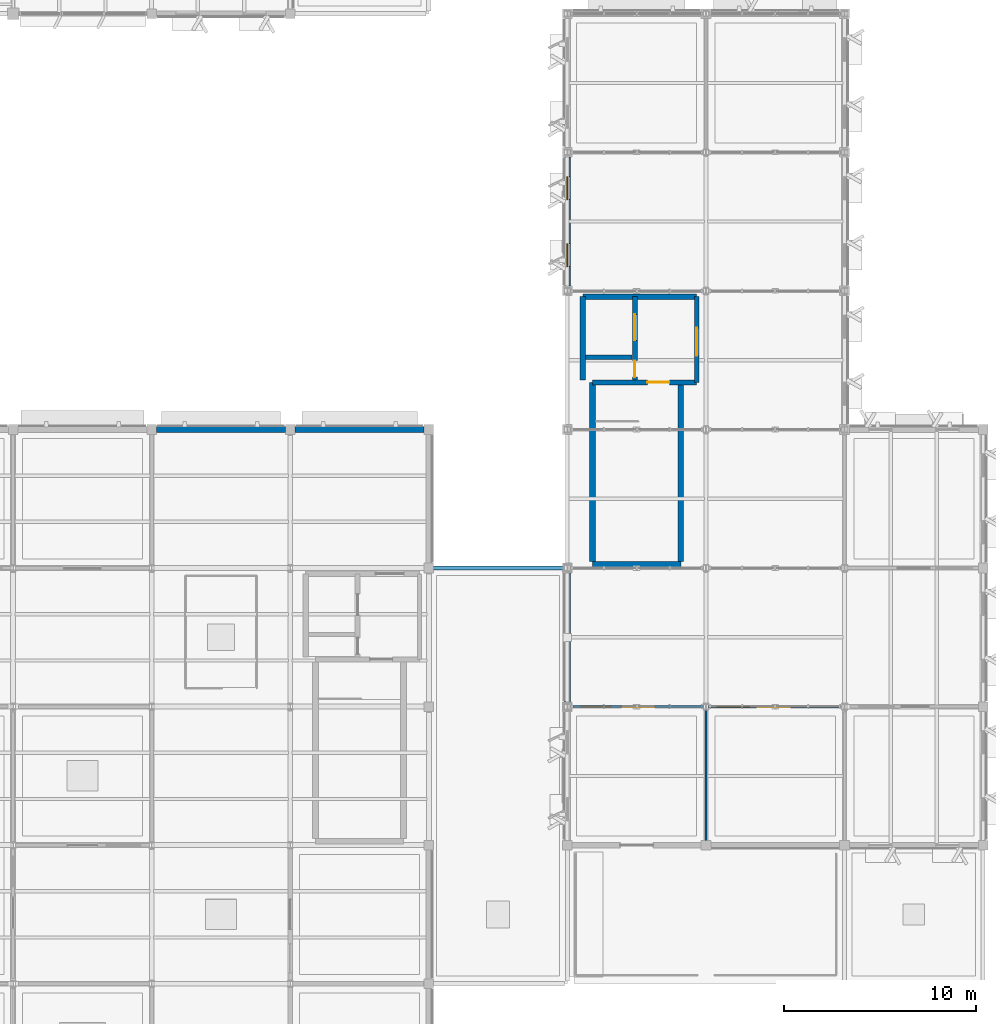
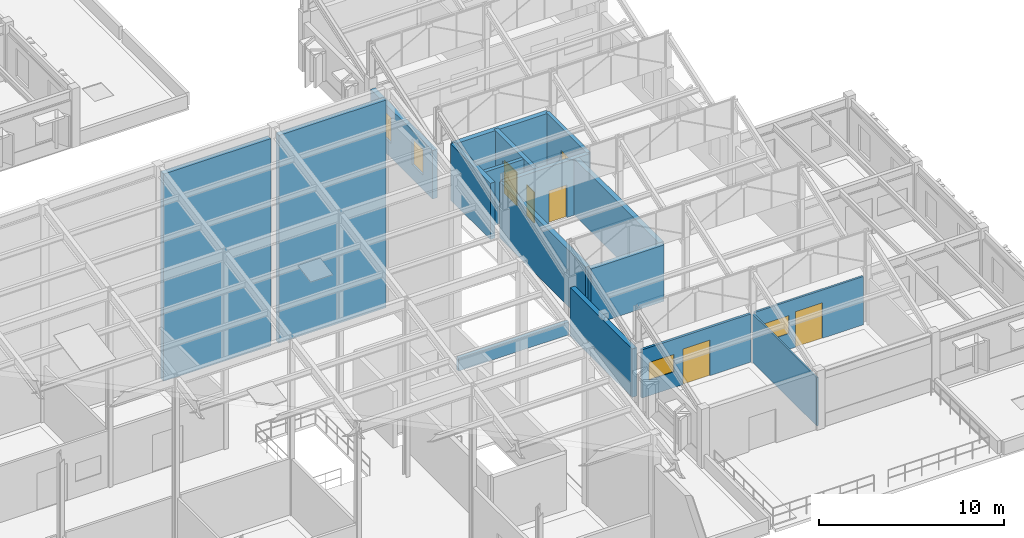
# One storey, part 36 of 82: 17 walls, 6 doors, 4 windows, 10 openings.
"""IFC4 building model written with IfcOpenShell, lengths in metres."""

from ifc_helpers import new_model, si_unit, direction, frame, frame_2d, origin, place, context, subcontext, project, spatial, rectangle, extrude, material, layer, layer_set, type_object, element, fill, save


model = new_model("IFC4")

# Units and contexts
model_context = context("Model", 3, precision=1e-05, world=origin(), true_north=direction((0.0, 1.0)))
body_context = subcontext(model_context, "Body", "Model", "MODEL_VIEW")
ifc_project = project(units=[si_unit("LENGTHUNIT", "METRE"), si_unit("AREAUNIT", "SQUARE_METRE"), si_unit("VOLUMEUNIT", "CUBIC_METRE"), si_unit("PLANEANGLEUNIT", "RADIAN"), si_unit("MASSUNIT", "GRAM", prefix="KILO")], contexts=[model_context])

# Site, building, storey
site_placement = place(None, origin())
site = spatial("IfcSite", under=ifc_project, at=site_placement, CompositionType="ELEMENT")
building_placement = place(site_placement, origin())
building = spatial("IfcBuilding", under=site, at=building_placement, Name="Sillqori Civic Hall", CompositionType="ELEMENT")
storey_placement = place(building_placement, frame((0.0, 0.0, 14.10009765625)))
storey = spatial("IfcBuildingStorey", under=building, at=storey_placement, Name="L04", CompositionType="ELEMENT", Elevation=14.10009765625)

# Wall
ifc_material_1 = material(Name="Concrete C35/45 (H35)", Category="concrete")
ifc_layer_1 = layer(ifc_material_1, 0.219970703125)
ifc_layer_set_1 = layer_set([ifc_layer_1], Name="Concrete C35/45 (H35)")
wall_type_1 = type_object("IfcWallType", Name="CW-SHR-220", PredefinedType="SHEAR", material=ifc_layer_set_1)
wall_1_placement = place(storey_placement, frame((123.35009765625, 61.35009765625, 0.0), z_axis=(0.0, 0.0, 1.0), x_axis=(1.0, 0.0, 0.0)))
element("IfcWall", 1, at=wall_1_placement, inside=storey, type_object=wall_type_1, Name="L04 C2 Lift-riser divider wall", PredefinedType="SHEAR", context=body_context, shape_type="SweptSolid", body=[
    extrude(rectangle(XDim=2.39990234375, YDim=0.219970703125, at=frame_2d((1.199951171875, 0.0))), origin(), (0.0, 0.0, 1.0), 3.719970703125),
])

# Wall, opening, door
wall_2_placement = place(storey_placement, frame((129.1201171875, 64.5, 0.0), z_axis=(0.0, 0.0, 1.0), x_axis=(0.0, -1.0, 0.0)))
wall_2 = element("IfcWall", 2, at=wall_2_placement, inside=storey, type_object=wall_type_1, Name="L04 C2 firefighting lobby enclosure wall", PredefinedType="SHEAR", context=body_context, shape_type="SweptSolid", body=[
    extrude(rectangle(XDim=4.449951171875, YDim=0.219970703125, at=frame_2d((2.22509765625, 0.0))), origin(), (0.0, 0.0, 1.0), 3.719970703125),
])
opening_1_placement = place(wall_2_placement, frame((1.625, 0.0, 0.0)))
opening_1 = element("IfcOpeningElement", 3, at=opening_1_placement, cuts=wall_2, Name="Opening FD-03", PredefinedType="OPENING", context=body_context, shape_type="SweptSolid", body=[
    extrude(rectangle(XDim=1.449951171875, YDim=2.199951171875, at=frame_2d((0.72509765625, 1.10009765625))), frame((0.0, 0.119873046875, 0.0), z_axis=(0.0, -1.0, 0.0), x_axis=(1.0, 0.0, 0.0)), (0.0, 0.0, 1.0), 0.239990234375),
])
ifc_material_2 = material(Name="Double-Leaf Smoke-Seal Lobby Door", Category="steel")
door_type_1 = type_object("IfcDoorType", Name="FDR-LOB-145X220", OperationType="NOTDEFINED", PredefinedType="DOOR", material=ifc_material_2)
door_1_placement = place(opening_1_placement, origin())
door_1 = element("IfcDoor", 4, at=door_1_placement, inside=storey, type_object=door_type_1, Name="L04 C2 firefighting lobby exit door", OperationType="DOUBLE_DOOR_SINGLE_SWING", OverallHeight=2.199951171875, OverallWidth=1.449951171875, PredefinedType="DOOR", context=body_context, shape_type="SweptSolid", body=[
    extrude(rectangle(XDim=1.449951171875, YDim=2.199951171875, at=frame_2d((0.72509765625, 1.10009765625))), frame((0.0, 0.02490234375, 0.0), z_axis=(0.0, -1.0, 0.0), x_axis=(1.0, 0.0, 0.0)), (0.0, 0.0, 1.0), 0.050048828125),
])
fill(opening_1, door_1)

ifc_layer_2 = layer(ifc_material_1, 0.260009765625)
ifc_layer_set_2 = layer_set([ifc_layer_2], Name="Concrete C35/45 (H35)")
wall_type_2 = type_object("IfcWallType", Name="CW-SHR-260", PredefinedType="SHEAR", material=ifc_layer_set_2)
wall_3_placement = place(storey_placement, frame((123.7099609375, 60.050048828125, 0.0), z_axis=(0.0, 0.0, 1.0), x_axis=(1.0, 0.0, 0.0)))
wall_3 = element("IfcWall", 5, at=wall_3_placement, inside=storey, type_object=wall_type_2, Name="L04 C2 Stair-lobby fire wall", PredefinedType="SHEAR", context=body_context, shape_type="SweptSolid", body=[
    extrude(rectangle(XDim=5.41015625, YDim=0.260009765625, at=frame_2d((2.705078125, 0.0))), origin(), (0.0, 0.0, 1.0), 3.719970703125),
])
opening_2_placement = place(wall_3_placement, frame((2.840087890625, 0.0, 0.0)))
opening_2 = element("IfcOpeningElement", 6, at=opening_2_placement, cuts=wall_3, Name="Opening FD-01", PredefinedType="OPENING", context=body_context, shape_type="SweptSolid", body=[
    extrude(rectangle(XDim=1.14990234375, YDim=2.14990234375, at=frame_2d((0.574951171875, 1.074951171875))), frame((0.0, 0.139892578125, 0.0), z_axis=(0.0, -1.0, 0.0), x_axis=(1.0, 0.0, 0.0)), (0.0, 0.0, 1.0), 0.280029296875),
])
ifc_material_3 = material(Name="Galvanized Steel Fire Door FD90S", Category="steel")
door_type_2 = type_object("IfcDoorType", Name="FDR-STR-115X215", OperationType="NOTDEFINED", PredefinedType="DOOR", material=ifc_material_3)
door_2_placement = place(opening_2_placement, origin())
door_2 = element("IfcDoor", 7, at=door_2_placement, inside=storey, type_object=door_type_2, Name="L04 stair ST-02 fire door", OperationType="SINGLE_SWING_RIGHT", OverallHeight=2.14990234375, OverallWidth=1.14990234375, PredefinedType="DOOR", context=body_context, shape_type="SweptSolid", body=[
    extrude(rectangle(XDim=1.14990234375, YDim=2.14990234375, at=frame_2d((0.574951171875, 1.074951171875))), frame((0.0, 0.02490234375, 0.0), z_axis=(0.0, -1.0, 0.0), x_axis=(1.0, 0.0, 0.0)), (0.0, 0.0, 1.0), 0.050048828125),
])
fill(opening_2, door_2)

# Wall, openings, doors
wall_4_placement = place(storey_placement, frame((125.89990234375, 64.5, 0.0), z_axis=(0.0, 0.0, 1.0), x_axis=(0.0, -1.0, 0.0)))
wall_4 = element("IfcWall", 8, at=wall_4_placement, inside=storey, type_object=wall_type_2, Name="L04 C2 Lift landing & riser front wall", PredefinedType="SHEAR", context=body_context, shape_type="SweptSolid", body=[
    extrude(rectangle(XDim=4.320068359375, YDim=0.260009765625, at=frame_2d((2.16015625, 0.0))), origin(), (0.0, 0.0, 1.0), 3.719970703125),
])
opening_3_placement = place(wall_4_placement, frame((0.925048828125, 0.0, 0.0)))
opening_3 = element("IfcOpeningElement", 9, at=opening_3_placement, cuts=wall_4, Name="Opening LD-03", PredefinedType="OPENING", context=body_context, shape_type="SweptSolid", body=[
    extrude(rectangle(XDim=1.35009765625, YDim=2.199951171875, at=frame_2d((0.675048828125, 1.10009765625))), frame((0.0, 0.139892578125, 0.0), z_axis=(0.0, -1.0, 0.0), x_axis=(1.0, 0.0, 0.0)), (0.0, 0.0, 1.0), 0.280029296875),
])
opening_4_placement = place(wall_4_placement, frame((3.324951171875, 0.0, 0.0)))
opening_4 = element("IfcOpeningElement", 10, at=opening_4_placement, cuts=wall_4, Name="Opening FD-05", PredefinedType="OPENING", context=body_context, shape_type="SweptSolid", body=[
    extrude(rectangle(XDim=0.85009765625, YDim=2.050048828125, at=frame_2d((0.425048828125, 1.02490234375))), frame((0.0, 0.139892578125, 0.0), z_axis=(0.0, -1.0, 0.0), x_axis=(1.0, 0.0, 0.0)), (0.0, 0.0, 1.0), 0.280029296875),
])
ifc_material_4 = material(Name="Steel Riser Access Fire Door", Category="steel")
door_type_3 = type_object("IfcDoorType", Name="FDR-RSR-085X205", OperationType="NOTDEFINED", PredefinedType="DOOR", material=ifc_material_4)
door_3_placement = place(opening_4_placement, origin())
door_3 = element("IfcDoor", 11, at=door_3_placement, inside=storey, type_object=door_type_3, Name="L04 MEP riser C2 fire access door", OperationType="SINGLE_SWING_LEFT", OverallHeight=2.050048828125, OverallWidth=0.85009765625, PredefinedType="DOOR", context=body_context, shape_type="SweptSolid", body=[
    extrude(rectangle(XDim=0.85009765625, YDim=2.050048828125, at=frame_2d((0.425048828125, 1.02490234375))), frame((0.0, 0.02490234375, 0.0), z_axis=(0.0, -1.0, 0.0), x_axis=(1.0, 0.0, 0.0)), (0.0, 0.0, 1.0), 0.050048828125),
])
fill(opening_4, door_3)
ifc_material_5 = material(Name="Service Freight Lift Landing Door", Category="steel")
door_type_4 = type_object("IfcDoorType", Name="LDR-SERV-135X220", OperationType="NOTDEFINED", PredefinedType="DOOR", material=ifc_material_5)
door_4_placement = place(opening_3_placement, origin())
door_4 = element("IfcDoor", 12, at=door_4_placement, inside=storey, type_object=door_type_4, Name="L04 lift LF-08 sliding landing door", OperationType="DOUBLE_DOOR_SLIDING", OverallHeight=2.199951171875, OverallWidth=1.35009765625, PredefinedType="DOOR", context=body_context, shape_type="SweptSolid", body=[
    extrude(rectangle(XDim=1.35009765625, YDim=2.199951171875, at=frame_2d((0.675048828125, 1.10009765625))), frame((0.0, 0.02490234375, 0.0), z_axis=(0.0, -1.0, 0.0), x_axis=(1.0, 0.0, 0.0)), (0.0, 0.0, 1.0), 0.050048828125),
])
fill(opening_3, door_4)

# Walls
ifc_layer_3 = layer(ifc_material_1, 0.300048828125)
ifc_layer_set_3 = layer_set([ifc_layer_3], Name="Concrete C35/45 (H35)")
wall_type_3 = type_object("IfcWallType", Name="CW-SHR-300", PredefinedType="SHEAR", material=ifc_layer_set_3)
wall_5_placement = place(storey_placement, frame((123.7099609375, 50.60009765625, 0.0), z_axis=(0.0, 0.0, 1.0), x_axis=(1.0, 0.0, 0.0)))
element("IfcWall", 13, at=wall_5_placement, inside=storey, type_object=wall_type_3, Name="L04 C2 Stair south shear wall", PredefinedType="SHEAR", context=body_context, shape_type="SweptSolid", body=[
    extrude(rectangle(XDim=4.580078125, YDim=0.300048828125, at=frame_2d((2.2900390625, 0.0))), origin(), (0.0, 0.0, 1.0), 3.719970703125),
])
for number, where, z_axis, x_axis, name in (
    (14, (123.7099609375, 50.75, 0.0), (0.0, 0.0, 1.0), (0.0, 1.0, 0.0), "L04 C2 Stair west shear wall"),
    (15, (128.2900390625, 50.75, 0.0), (0.0, 0.0, 1.0), (0.0, 1.0, 0.0), "L04 C2 Stair east shear wall"),
):
    element("IfcWall", number, at=place(storey_placement, frame(where, z_axis=z_axis, x_axis=x_axis)), inside=storey, type_object=wall_type_3, Name=name, PredefinedType="SHEAR", context=body_context, shape_type="SweptSolid", body=[
        extrude(rectangle(XDim=9.300048828125, YDim=0.300048828125, at=frame_2d((4.64990234375, 0.0))), origin(), (0.0, 0.0, 1.0), 3.719970703125),
    ])
wall_6_placement = place(storey_placement, frame((123.199951171875, 60.179931640625, 0.0), z_axis=(0.0, 0.0, 1.0), x_axis=(0.0, 1.0, 0.0)))
element("IfcWall", 16, at=wall_6_placement, inside=storey, type_object=wall_type_3, Name="L04 C2 Lift shaft west shear wall", PredefinedType="SHEAR", context=body_context, shape_type="SweptSolid", body=[
    extrude(rectangle(XDim=4.320068359375, YDim=0.300048828125, at=frame_2d((2.16015625, 0.0))), origin(), (0.0, 0.0, 1.0), 3.719970703125),
])
wall_7_placement = place(storey_placement, frame((123.199951171875, 64.5, 0.0), z_axis=(0.0, 0.0, 1.0), x_axis=(1.0, 0.0, 0.0)))
element("IfcWall", 17, at=wall_7_placement, inside=storey, type_object=wall_type_3, Name="L04 C2 Core north shear wall", PredefinedType="SHEAR", context=body_context, shape_type="SweptSolid", body=[
    extrude(rectangle(XDim=5.920166015625, YDim=0.300048828125, at=frame_2d((2.9599609375, 0.0))), origin(), (0.0, 0.0, 1.0), 3.719970703125),
])
ifc_material_6 = material(Name="Precast concrete C40/50 (H40)", Category="concrete")
ifc_layer_4 = layer(ifc_material_6, 0.300048828125)
ifc_layer_set_4 = layer_set([ifc_layer_4], Name="Precast concrete C40/50 (H40)")
wall_type_4 = type_object("IfcWallType", Name="EW-LIME-300", PredefinedType="SOLIDWALL", material=ifc_layer_set_4)
wall_8_placement = place(storey_placement, frame((122.39990234375, 43.449951171875, 0.0), z_axis=(0.0, 0.0, 1.0), x_axis=(0.0, 1.0, 0.0)))
element("IfcWall", 18, at=wall_8_placement, inside=storey, type_object=wall_type_4, Name="L04 V3 exterior wall L04-17-06-W", PredefinedType="SOLIDWALL", context=body_context, shape_type="SweptSolid", body=[
    extrude(rectangle(XDim=6.699951171875, YDim=0.300048828125, at=frame_2d((3.35009765625, 0.0))), origin(), (0.0, 0.0, 1.0), 3.199951171875),
])

# Wall, openings, windows
wall_9_placement = place(storey_placement, frame((122.39990234375, 65.050048828125, 0.0), z_axis=(0.0, 0.0, 1.0), x_axis=(0.0, 1.0, 0.0)))
wall_9 = element("IfcWall", 19, at=wall_9_placement, inside=storey, type_object=wall_type_4, Name="L04 V3 exterior wall L04-17-09-W", PredefinedType="SOLIDWALL", context=body_context, shape_type="SweptSolid", body=[
    extrude(rectangle(XDim=6.699951171875, YDim=0.300048828125, at=frame_2d((3.35009765625, 0.0))), origin(), (0.0, 0.0, 1.0), 3.199951171875),
])
opening_5_placement = place(wall_9_placement, frame((1.008056640625, 0.0, 0.949951171875)))
opening_5 = element("IfcOpeningElement", 20, at=opening_5_placement, cuts=wall_9, Name="Opening W-22", PredefinedType="OPENING", context=body_context, shape_type="SweptSolid", body=[
    extrude(rectangle(XDim=1.199951171875, YDim=1.699951171875, at=frame_2d((0.60009765625, 0.85009765625))), frame((0.0, 0.159912109375, 0.0), z_axis=(0.0, -1.0, 0.0), x_axis=(1.0, 0.0, 0.0)), (0.0, 0.0, 1.0), 0.320068359375),
])
opening_6_placement = place(wall_9_placement, frame((4.491943359375, 0.0, 0.949951171875)))
opening_6 = element("IfcOpeningElement", 21, at=opening_6_placement, cuts=wall_9, Name="Opening W-22", PredefinedType="OPENING", context=body_context, shape_type="SweptSolid", body=[
    extrude(rectangle(XDim=1.199951171875, YDim=1.699951171875, at=frame_2d((0.60009765625, 0.85009765625))), frame((0.0, 0.159912109375, 0.0), z_axis=(0.0, -1.0, 0.0), x_axis=(1.0, 0.0, 0.0)), (0.0, 0.0, 1.0), 0.320068359375),
])
ifc_material_7 = material(Name="Thermally Broken Aluminium Low-E Window", Category="aluminium")
window_type_1 = type_object("IfcWindowType", Name="WIN-V5-120X170", PartitioningType="SINGLE_PANEL", PredefinedType="WINDOW", material=ifc_material_7)
window_1_placement = place(opening_5_placement, origin())
window_1 = element("IfcWindow", 22, at=window_1_placement, inside=storey, type_object=window_type_1, Name="L04 V3 window L04-17-09-W.1", OverallHeight=1.699951171875, OverallWidth=1.199951171875, PartitioningType="SINGLE_PANEL", PredefinedType="WINDOW", context=body_context, shape_type="SweptSolid", body=[
    extrude(rectangle(XDim=1.199951171875, YDim=1.699951171875, at=frame_2d((0.60009765625, 0.85009765625))), frame((0.0, 0.030029296875, 0.0), z_axis=(0.0, -1.0, 0.0), x_axis=(1.0, 0.0, 0.0)), (0.0, 0.0, 1.0), 0.06005859375),
])
fill(opening_5, window_1)
window_2_placement = place(opening_6_placement, origin())
window_2 = element("IfcWindow", 23, at=window_2_placement, inside=storey, type_object=window_type_1, Name="L04 V3 window L04-17-09-W.2", OverallHeight=1.699951171875, OverallWidth=1.199951171875, PartitioningType="SINGLE_PANEL", PredefinedType="WINDOW", context=body_context, shape_type="SweptSolid", body=[
    extrude(rectangle(XDim=1.199951171875, YDim=1.699951171875, at=frame_2d((0.60009765625, 0.85009765625))), frame((0.0, 0.030029296875, 0.0), z_axis=(0.0, -1.0, 0.0), x_axis=(1.0, 0.0, 0.0)), (0.0, 0.0, 1.0), 0.06005859375),
])
fill(opening_6, window_2)

# Walls
ifc_layer_5 = layer(ifc_material_6, 0.320068359375)
ifc_layer_set_5 = layer_set([ifc_layer_5], Name="Precast concrete C40/50 (H40)")
wall_type_5 = type_object("IfcWallType", Name="EW-LIME-320", PredefinedType="SOLIDWALL", material=ifc_layer_set_5)
wall_10_placement = place(storey_placement, frame((101.050048828125, 57.60009765625, 0.0), z_axis=(0.0, 0.0, 1.0), x_axis=(1.0, 0.0, 0.0)))
element("IfcWall", 24, at=wall_10_placement, inside=storey, type_object=wall_type_5, Name="L04 V2 exterior wall L04-14-07-N", PredefinedType="SOLIDWALL", context=body_context, shape_type="SweptSolid", body=[
    extrude(rectangle(XDim=6.699951171875, YDim=0.320068359375, at=frame_2d((3.35009765625, 0.0))), origin(), (0.0, 0.0, 1.0), 13.69189453125),
])
wall_11_placement = place(storey_placement, frame((108.25, 57.60009765625, 0.0), z_axis=(0.0, 0.0, 1.0), x_axis=(1.0, 0.0, 0.0)))
element("IfcWall", 25, at=wall_11_placement, inside=storey, type_object=wall_type_5, Name="L04 V2 exterior wall L04-15-07-N", PredefinedType="SOLIDWALL", context=body_context, shape_type="SweptSolid", body=[
    extrude(rectangle(XDim=6.699951171875, YDim=0.320068359375, at=frame_2d((3.35009765625, 0.0))), origin(), (0.0, 0.0, 1.0), 13.720458984375),
])
ifc_material_8 = material(Name="Acoustic Steel-Stud Gypsum Partition 100", Category="steel")
ifc_layer_6 = layer(ifc_material_8, 0.10009765625)
ifc_layer_set_6 = layer_set([ifc_layer_6], Name="Acoustic Steel-Stud Gypsum Partition 100")
wall_type_6 = type_object("IfcWallType", Name="PT-GYP-100", PredefinedType="PARTITIONING", material=ifc_layer_set_6)
wall_12_placement = place(storey_placement, frame((129.60009765625, 43.080078125, 0.0), z_axis=(0.0, 0.0, 1.0), x_axis=(0.0, -1.0, 0.0)))
element("IfcWall", 26, at=wall_12_placement, inside=storey, type_object=wall_type_6, Name="Clerestory Members Library Reading Room partition E2", PredefinedType="PARTITIONING", context=body_context, shape_type="SweptSolid", body=[
    extrude(rectangle(XDim=6.9599609375, YDim=0.10009765625, at=frame_2d((3.47998046875, 0.0))), origin(), (0.0, 0.0, 1.0), 3.18994140625),
])

# Wall, openings, door, window
ifc_material_9 = material(Name="Double-Board Acoustic Partition 125", Category="gypsum")
ifc_layer_7 = layer(ifc_material_9, 0.125)
ifc_layer_set_7 = layer_set([ifc_layer_7], Name="Double-Board Acoustic Partition 125")
wall_type_7 = type_object("IfcWallType", Name="PT-GYP-125", PredefinedType="PARTITIONING", material=ifc_layer_set_7)
wall_13_placement = place(storey_placement, frame((129.719970703125, 43.199951171875, 0.0), z_axis=(0.0, 0.0, 1.0), x_axis=(1.0, 0.0, 0.0)))
wall_13 = element("IfcWall", 27, at=wall_13_placement, inside=storey, type_object=wall_type_7, Name="Parliamentary Scholars Study Room partition N1", PredefinedType="PARTITIONING", context=body_context, shape_type="SweptSolid", body=[
    extrude(rectangle(XDim=6.800048828125, YDim=0.125, at=frame_2d((3.39990234375, 0.0))), origin(), (0.0, 0.0, 1.0), 3.18994140625),
])
opening_7_placement = place(wall_13_placement, frame((2.56005859375, 0.0, 0.0)))
opening_7 = element("IfcOpeningElement", 28, at=opening_7_placement, cuts=wall_13, Name="Opening ID-09", PredefinedType="OPENING", context=body_context, shape_type="SweptSolid", body=[
    extrude(rectangle(XDim=1.679931640625, YDim=2.35009765625, at=frame_2d((0.83984375, 1.175048828125))), frame((0.0, 0.072509765625, 0.0), z_axis=(0.0, -1.0, 0.0), x_axis=(1.0, 0.0, 0.0)), (0.0, 0.0, 1.0), 0.14501953125),
])
opening_8_placement = place(wall_13_placement, frame((0.449951171875, 0.0, 1.050048828125)))
opening_8 = element("IfcOpeningElement", 29, at=opening_8_placement, cuts=wall_13, Name="Opening IW-13", PredefinedType="OPENING", context=body_context, shape_type="SweptSolid", body=[
    extrude(rectangle(XDim=1.699951171875, YDim=1.179931640625, at=frame_2d((0.85009765625, 0.58984375))), frame((0.0, 0.072509765625, 0.0), z_axis=(0.0, -1.0, 0.0), x_axis=(1.0, 0.0, 0.0)), (0.0, 0.0, 1.0), 0.14501953125),
])
ifc_material_10 = material(Name="Library Reading Room Acoustic Door", Category="timber")
door_type_5 = type_object("IfcDoorType", Name="IDR-LIB-168X235", OperationType="NOTDEFINED", PredefinedType="DOOR", material=ifc_material_10)
door_5_placement = place(opening_7_placement, origin())
door_5 = element("IfcDoor", 30, at=door_5_placement, inside=storey, type_object=door_type_5, Name="Parliamentary Scholars Study Room entrance door", OperationType="DOUBLE_DOOR_SINGLE_SWING", OverallHeight=2.35009765625, OverallWidth=1.679931640625, PredefinedType="DOOR", context=body_context, shape_type="SweptSolid", body=[
    extrude(rectangle(XDim=1.679931640625, YDim=2.35009765625, at=frame_2d((0.83984375, 1.175048828125))), frame((0.0, 0.02490234375, 0.0), z_axis=(0.0, -1.0, 0.0), x_axis=(1.0, 0.0, 0.0)), (0.0, 0.0, 1.0), 0.050048828125),
])
fill(opening_7, door_5)
ifc_material_11 = material(Name="Acoustic Laminated Interior Clerestory Glazing", Category="glass")
window_type_2 = type_object("IfcWindowType", Name="IWN-STU-170X118", PartitioningType="SINGLE_PANEL", PredefinedType="WINDOW", material=ifc_material_11)
window_3_placement = place(opening_8_placement, origin())
window_3 = element("IfcWindow", 31, at=window_3_placement, inside=storey, type_object=window_type_2, Name="Parliamentary Scholars Study Room borrowed-light screen", OverallHeight=1.179931640625, OverallWidth=1.699951171875, PartitioningType="SINGLE_PANEL", PredefinedType="WINDOW", context=body_context, shape_type="SweptSolid", body=[
    extrude(rectangle(XDim=1.699951171875, YDim=1.179931640625, at=frame_2d((0.85009765625, 0.58984375))), frame((0.0, 0.030029296875, 0.0), z_axis=(0.0, -1.0, 0.0), x_axis=(1.0, 0.0, 0.0)), (0.0, 0.0, 1.0), 0.06005859375),
])
fill(opening_8, window_3)

ifc_material_12 = material(Name="Corridor Fire-Rated Partition 150", Category="gypsum")
ifc_layer_8 = layer(ifc_material_12, 0.14990234375)
ifc_layer_set_8 = layer_set([ifc_layer_8], Name="Corridor Fire-Rated Partition 150")
wall_type_8 = type_object("IfcWallType", Name="PT-GYP-150", PredefinedType="PARTITIONING", material=ifc_layer_set_8)
wall_14_placement = place(storey_placement, frame((122.679931640625, 43.199951171875, 0.0), z_axis=(0.0, 0.0, 1.0), x_axis=(1.0, 0.0, 0.0)))
wall_14 = element("IfcWall", 32, at=wall_14_placement, inside=storey, type_object=wall_type_8, Name="Clerestory Members Library Reading Room partition N1", PredefinedType="PARTITIONING", context=body_context, shape_type="SweptSolid", body=[
    extrude(rectangle(XDim=6.800048828125, YDim=0.14990234375, at=frame_2d((3.39990234375, 0.0))), origin(), (0.0, 0.0, 1.0), 3.18994140625),
])
opening_9_placement = place(wall_14_placement, frame((2.56005859375, 0.0, 0.0)))
opening_9 = element("IfcOpeningElement", 33, at=opening_9_placement, cuts=wall_14, Name="Opening ID-09", PredefinedType="OPENING", context=body_context, shape_type="SweptSolid", body=[
    extrude(rectangle(XDim=1.679931640625, YDim=2.35009765625, at=frame_2d((0.83984375, 1.175048828125))), frame((0.0, 0.0849609375, 0.0), z_axis=(0.0, -1.0, 0.0), x_axis=(1.0, 0.0, 0.0)), (0.0, 0.0, 1.0), 0.169921875),
])
opening_10_placement = place(wall_14_placement, frame((0.449951171875, 0.0, 1.050048828125)))
opening_10 = element("IfcOpeningElement", 34, at=opening_10_placement, cuts=wall_14, Name="Opening IW-11", PredefinedType="OPENING", context=body_context, shape_type="SweptSolid", body=[
    extrude(rectangle(XDim=1.550048828125, YDim=1.14990234375, at=frame_2d((0.77490234375, 0.574951171875))), frame((0.0, 0.0849609375, 0.0), z_axis=(0.0, -1.0, 0.0), x_axis=(1.0, 0.0, 0.0)), (0.0, 0.0, 1.0), 0.169921875),
])
door_6_placement = place(opening_9_placement, origin())
door_6 = element("IfcDoor", 35, at=door_6_placement, inside=storey, type_object=door_type_5, Name="Clerestory Members Library Reading Room entrance door", OperationType="DOUBLE_DOOR_SINGLE_SWING", OverallHeight=2.35009765625, OverallWidth=1.679931640625, PredefinedType="DOOR", context=body_context, shape_type="SweptSolid", body=[
    extrude(rectangle(XDim=1.679931640625, YDim=2.35009765625, at=frame_2d((0.83984375, 1.175048828125))), frame((0.0, 0.02490234375, 0.0), z_axis=(0.0, -1.0, 0.0), x_axis=(1.0, 0.0, 0.0)), (0.0, 0.0, 1.0), 0.050048828125),
])
fill(opening_9, door_6)
window_type_3 = type_object("IfcWindowType", Name="IWN-STU-155X115", PartitioningType="SINGLE_PANEL", PredefinedType="WINDOW", material=ifc_material_11)
window_4_placement = place(opening_10_placement, origin())
window_4 = element("IfcWindow", 36, at=window_4_placement, inside=storey, type_object=window_type_3, Name="Clerestory Members Library Reading Room borrowed-light screen", OverallHeight=1.14990234375, OverallWidth=1.550048828125, PartitioningType="SINGLE_PANEL", PredefinedType="WINDOW", context=body_context, shape_type="SweptSolid", body=[
    extrude(rectangle(XDim=1.550048828125, YDim=1.14990234375, at=frame_2d((0.77490234375, 0.574951171875))), frame((0.0, 0.030029296875, 0.0), z_axis=(0.0, -1.0, 0.0), x_axis=(1.0, 0.0, 0.0)), (0.0, 0.0, 1.0), 0.06005859375),
])
fill(opening_10, window_4)

# Wall
ifc_layer_9 = layer(ifc_material_6, 0.219970703125)
ifc_layer_set_9 = layer_set([ifc_layer_9], Name="Precast concrete C40/50 (H40)")
wall_type_9 = type_object("IfcWallType", Name="WP-PAR-220", PredefinedType="PARAPET", material=ifc_layer_set_9)
wall_15_placement = place(storey_placement, frame((115.35009765625, 50.39990234375, 0.0), z_axis=(0.0, 0.0, 1.0), x_axis=(1.0, 0.0, 0.0)))
element("IfcWall", 37, at=wall_15_placement, inside=storey, type_object=wall_type_9, Name="L04 roof parapet 03", PredefinedType="PARAPET", context=body_context, shape_type="SweptSolid", body=[
    extrude(rectangle(XDim=6.89990234375, YDim=0.219970703125, at=frame_2d((3.449951171875, 0.0))), origin(), (0.0, 0.0, 1.0), 0.849853515625),
])

save(model, "model.ifc")
